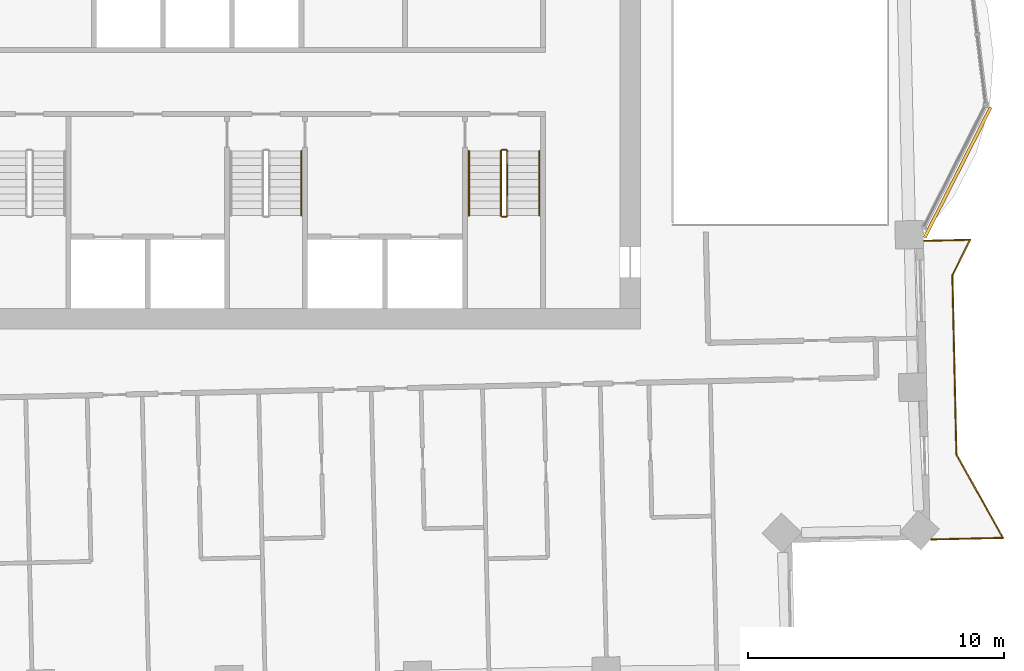
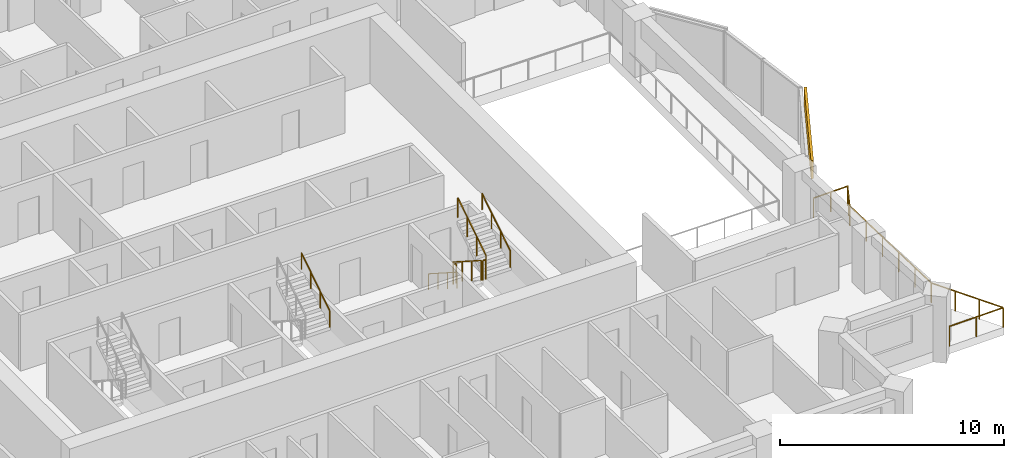
# One storey, part 16 of 17: 8 railings, 1 covering.
"""IFC4 building model written with IfcOpenShell, lengths in metres."""

from ifc_helpers import new_model, si_unit, direction, frame, frame_2d, origin, origin_2d, place, context, subcontext, project, spatial, rectangle, circle, extrude, material, layer, layer_set, type_object, element, save


model = new_model("IFC4")

# Units and contexts
model_context = context("Model", 3, precision=1e-05, world=origin(), true_north=direction((0.0, 1.0)))
body_context = subcontext(model_context, "Body", "Model", "MODEL_VIEW")
ifc_project = project(units=[si_unit("LENGTHUNIT", "METRE"), si_unit("AREAUNIT", "SQUARE_METRE"), si_unit("VOLUMEUNIT", "CUBIC_METRE"), si_unit("PLANEANGLEUNIT", "RADIAN"), si_unit("MASSUNIT", "GRAM", prefix="KILO")], contexts=[model_context])

# Site, building, storey
site_placement = place(None, origin())
site = spatial("IfcSite", under=ifc_project, at=site_placement, CompositionType="ELEMENT")
building_placement = place(site_placement, origin())
building = spatial("IfcBuilding", under=site, at=building_placement, Name="Mangrove Gate Tower", CompositionType="ELEMENT")
storey_placement = place(building_placement, frame((0.0, 0.0, 234.699951171875)))
storey = spatial("IfcBuildingStorey", under=building, at=storey_placement, Name="L59", CompositionType="ELEMENT", Elevation=234.699951171875)

# Railings
ifc_material_1 = material(Name="Stainless steel grade 316 with laminated glass infill", Category="steel")
railing_type_1 = type_object("IfcRailingType", Name="Balcony guard 1100", PredefinedType="GUARDRAIL", material=ifc_material_1)
railing_1_placement = place(storey_placement, frame((25.964111328125, -19.8291015625, 0.0)))
element("IfcRailing", 1, at=railing_1_placement, inside=storey, type_object=railing_type_1, Name="GUARD L59 E1", PredefinedType="GUARDRAIL", context=body_context, shape_type="SweptSolid", body=[
    extrude(rectangle(XDim=0.048095703125, YDim=0.048095703125, at=origin_2d()), frame((0.0, 0.0, 1.076171875), z_axis=(0.999747602217, 0.022466238252, 0.0), x_axis=(-0.022466238252, 0.999747602217, 0.0)), (0.0, 0.0, 1.0), 2.8037109375),
    extrude(rectangle(XDim=0.048095703125, YDim=0.048095703125, at=origin_2d()), frame((2.802978515625, 0.06298828125, 1.076171875), z_axis=(-0.487274546564, 0.873248828382, 0.0), x_axis=(-0.873248828382, -0.487274546564, 0.0)), (0.0, 0.0, 1.0), 3.733154296875),
    extrude(rectangle(XDim=0.048095703125, YDim=0.048095703125, at=origin_2d()), frame((0.98388671875, 3.322998046875, 1.076171875), z_axis=(-0.022566119286, 0.999745352708, 0.0), x_axis=(-0.999745352708, -0.022566119286, 0.0)), (0.0, 0.0, 1.0), 6.999755859375),
    extrude(rectangle(XDim=0.048095703125, YDim=0.048095703125, at=origin_2d()), frame((0.825927734375, 10.321044921875, 1.076171875), z_axis=(0.4469623872, 0.89455275106, 0.0), x_axis=(-0.89455275106, 0.4469623872, 0.0)), (0.0, 0.0, 1.0), 1.55517578125),
    extrude(rectangle(XDim=0.048095703125, YDim=0.048095703125, at=origin_2d()), frame((1.52099609375, 11.712158203125, 1.076171875), z_axis=(-0.999736446094, -0.022957315875, 0.0), x_axis=(0.022957315875, -0.999736446094, 0.0)), (0.0, 0.0, 1.0), 1.78662109375),
    extrude(rectangle(XDim=0.0419921875, YDim=0.0419921875, at=origin_2d()), origin(), (0.0, 0.0, 1.0), 1.052001953125),
    extrude(rectangle(XDim=0.0419921875, YDim=0.0419921875, at=origin_2d()), frame((1.4013671875, 0.031494140625, 0.0)), (0.0, 0.0, 1.0), 1.052001953125),
    extrude(rectangle(XDim=0.0419921875, YDim=0.0419921875, at=origin_2d()), frame((2.802978515625, 0.06298828125, 0.0)), (0.0, 0.0, 1.0), 1.052001953125),
    extrude(rectangle(XDim=0.0419921875, YDim=0.0419921875, at=origin_2d()), frame((2.196533203125, 1.149658203125, 0.0)), (0.0, 0.0, 1.0), 1.052001953125),
    extrude(rectangle(XDim=0.0419921875, YDim=0.0419921875, at=origin_2d()), frame((1.59033203125, 2.236328125, 0.0)), (0.0, 0.0, 1.0), 1.052001953125),
    extrude(rectangle(XDim=0.0419921875, YDim=0.0419921875, at=origin_2d()), frame((0.98388671875, 3.322998046875, 0.0)), (0.0, 0.0, 1.0), 1.052001953125),
    extrude(rectangle(XDim=0.0419921875, YDim=0.0419921875, at=origin_2d()), frame((0.952392578125, 4.72265625, 0.0)), (0.0, 0.0, 1.0), 1.052001953125),
    extrude(rectangle(XDim=0.0419921875, YDim=0.0419921875, at=origin_2d()), frame((0.920654296875, 6.122314453125, 0.0)), (0.0, 0.0, 1.0), 1.052001953125),
    extrude(rectangle(XDim=0.0419921875, YDim=0.0419921875, at=origin_2d()), frame((0.88916015625, 7.521728515625, 0.0)), (0.0, 0.0, 1.0), 1.052001953125),
    extrude(rectangle(XDim=0.0419921875, YDim=0.0419921875, at=origin_2d()), frame((0.857421875, 8.92138671875, 0.0)), (0.0, 0.0, 1.0), 1.052001953125),
    extrude(rectangle(XDim=0.0419921875, YDim=0.0419921875, at=origin_2d()), frame((0.825927734375, 10.321044921875, 0.0)), (0.0, 0.0, 1.0), 1.052001953125),
    extrude(rectangle(XDim=0.0419921875, YDim=0.0419921875, at=origin_2d()), frame((1.17333984375, 11.0166015625, 0.0)), (0.0, 0.0, 1.0), 1.052001953125),
    extrude(rectangle(XDim=0.0419921875, YDim=0.0419921875, at=origin_2d()), frame((1.52099609375, 11.712158203125, 0.0)), (0.0, 0.0, 1.0), 1.052001953125),
    extrude(rectangle(XDim=0.0419921875, YDim=0.0419921875, at=origin_2d()), frame((0.6279296875, 11.691650390625, 0.0)), (0.0, 0.0, 1.0), 1.052001953125),
    extrude(rectangle(XDim=0.0419921875, YDim=0.0419921875, at=origin_2d()), frame((-0.26513671875, 11.671142578125, 0.0)), (0.0, 0.0, 1.0), 1.052001953125),
])
ifc_material_2 = material(Name="Stainless steel 316", Category="steel")
railing_type_2 = type_object("IfcRailingType", Name="Core stair guard 1100", PredefinedType="GUARDRAIL", material=ifc_material_2)
railing_2_placement = place(storey_placement, frame((9.14990234375, -4.64990234375, 0.179931640625)))
element("IfcRailing", 2, at=railing_2_placement, inside=storey, type_object=railing_type_2, Name="L59 ST3 stair guard 1", PredefinedType="GUARDRAIL", context=body_context, shape_type="SweptSolid", body=[
    extrude(rectangle(XDim=0.048095703125, YDim=0.048095703125, at=origin_2d()), frame((0.0, 0.0, 1.076171875), z_axis=(0.0, -0.841162588446, 0.540782303519), x_axis=(1.0, 0.0, 0.0)), (0.0, 0.0, 1.0), 2.995849609375),
    extrude(rectangle(XDim=0.0419921875, YDim=0.0419921875, at=origin_2d()), origin(), (0.0, 0.0, 1.0), 1.052001953125),
    extrude(rectangle(XDim=0.0419921875, YDim=0.0419921875, at=origin_2d()), frame((0.0, -0.840087890625, 0.5400390625)), (0.0, 0.0, 1.0), 1.052001953125),
    extrude(rectangle(XDim=0.0419921875, YDim=0.0419921875, at=origin_2d()), frame((0.0, -1.679931640625, 1.080078125)), (0.0, 0.0, 1.0), 1.052001953125),
    extrude(rectangle(XDim=0.0419921875, YDim=0.0419921875, at=origin_2d()), frame((0.0, -2.52001953125, 1.6201171875)), (0.0, 0.0, 1.0), 1.052001953125),
])
railing_3_placement = place(storey_placement, frame((9.199951171875, -7.219970703125, 1.800048828125)))
element("IfcRailing", 3, at=railing_3_placement, inside=storey, type_object=railing_type_2, Name="L59 ST3 stair guard 2", PredefinedType="GUARDRAIL", context=body_context, shape_type="SweptSolid", body=[
    extrude(rectangle(XDim=0.048095703125, YDim=0.048095703125, at=origin_2d()), frame((0.0, 0.0, 1.076171875), z_axis=(1.0, 0.0, 0.0), x_axis=(0.0, 1.0, 0.0)), (0.0, 0.0, 1.0), 0.150146484375),
    extrude(rectangle(XDim=0.0419921875, YDim=0.0419921875, at=origin_2d()), origin(), (0.0, 0.0, 1.0), 1.052001953125),
    extrude(rectangle(XDim=0.0419921875, YDim=0.0419921875, at=origin_2d()), frame((0.150146484375, 0.0, 0.0)), (0.0, 0.0, 1.0), 1.052001953125),
])
railing_4_placement = place(storey_placement, frame((9.39990234375, -7.169921875, 1.97998046875)))
element("IfcRailing", 4, at=railing_4_placement, inside=storey, type_object=railing_type_2, Name="L59 ST3 stair guard 3", PredefinedType="GUARDRAIL", context=body_context, shape_type="SweptSolid", body=[
    extrude(rectangle(XDim=0.048095703125, YDim=0.048095703125, at=origin_2d()), frame((0.0, 0.0, 1.076171875), z_axis=(0.0, 0.841162588446, 0.540782303519), x_axis=(-1.0, 0.0, 0.0)), (0.0, 0.0, 1.0), 2.995849609375),
    extrude(rectangle(XDim=0.0419921875, YDim=0.0419921875, at=origin_2d()), origin(), (0.0, 0.0, 1.0), 1.052001953125),
    extrude(rectangle(XDim=0.0419921875, YDim=0.0419921875, at=origin_2d()), frame((0.0, 0.840087890625, 0.5400390625)), (0.0, 0.0, 1.0), 1.052001953125),
    extrude(rectangle(XDim=0.0419921875, YDim=0.0419921875, at=origin_2d()), frame((0.0, 1.679931640625, 1.080078125)), (0.0, 0.0, 1.0), 1.052001953125),
    extrude(rectangle(XDim=0.0419921875, YDim=0.0419921875, at=origin_2d()), frame((0.0, 2.52001953125, 1.6201171875)), (0.0, 0.0, 1.0), 1.052001953125),
])
railing_5_placement = place(storey_placement, frame((9.199951171875, -4.60009765625, 0.0)))
element("IfcRailing", 5, at=railing_5_placement, inside=storey, type_object=railing_type_2, Name="L59 ST3 stair guard 4", PredefinedType="GUARDRAIL", context=body_context, shape_type="SweptSolid", body=[
    extrude(rectangle(XDim=0.048095703125, YDim=0.048095703125, at=origin_2d()), frame((0.0, 0.0, 1.076171875), z_axis=(1.0, 0.0, 0.0), x_axis=(0.0, 1.0, 0.0)), (0.0, 0.0, 1.0), 0.150146484375),
    extrude(rectangle(XDim=0.0419921875, YDim=0.0419921875, at=origin_2d()), origin(), (0.0, 0.0, 1.0), 1.052001953125),
    extrude(rectangle(XDim=0.0419921875, YDim=0.0419921875, at=origin_2d()), frame((0.150146484375, 0.0, 0.0)), (0.0, 0.0, 1.0), 1.052001953125),
])
ifc_material_3 = material(Name="Stainless steel 316", Category="steel")
railing_type_3 = type_object("IfcRailingType", Name="Core stair handrail 900", PredefinedType="HANDRAIL", material=ifc_material_3)
railing_6_placement = place(storey_placement, frame((1.35009765625, -7.169921875, 1.97998046875)))
element("IfcRailing", 6, at=railing_6_placement, inside=storey, type_object=railing_type_3, Name="L59 ST2 stair handrail 2", PredefinedType="HANDRAIL", context=body_context, shape_type="SweptSolid", body=[
    extrude(circle(Radius=0.02392578125, at=origin_2d()), frame((0.0, 0.0, 0.8759765625), z_axis=(0.0, 0.841162588446, 0.540782303519), x_axis=(-1.0, 0.0, 0.0)), (0.0, 0.0, 1.0), 2.995849609375),
    extrude(circle(Radius=0.02099609375, at=origin_2d()), origin(), (0.0, 0.0, 1.0), 0.851806640625),
    extrude(circle(Radius=0.02099609375, at=origin_2d()), frame((0.0, 0.840087890625, 0.5400390625)), (0.0, 0.0, 1.0), 0.851806640625),
    extrude(circle(Radius=0.02099609375, at=origin_2d()), frame((0.0, 1.679931640625, 1.080078125)), (0.0, 0.0, 1.0), 0.851806640625),
    extrude(circle(Radius=0.02099609375, at=origin_2d()), frame((0.0, 2.52001953125, 1.6201171875)), (0.0, 0.0, 1.0), 0.851806640625),
])
railing_7_placement = place(storey_placement, frame((7.89990234375, -4.64990234375, 0.179931640625)))
element("IfcRailing", 7, at=railing_7_placement, inside=storey, type_object=railing_type_3, Name="L59 ST3 stair handrail 1", PredefinedType="HANDRAIL", context=body_context, shape_type="SweptSolid", body=[
    extrude(circle(Radius=0.02392578125, at=origin_2d()), frame((0.0, 0.0, 0.8759765625), z_axis=(0.0, -0.841162588446, 0.540782303519), x_axis=(1.0, 0.0, 0.0)), (0.0, 0.0, 1.0), 2.995849609375),
    extrude(circle(Radius=0.02099609375, at=origin_2d()), origin(), (0.0, 0.0, 1.0), 0.851806640625),
    extrude(circle(Radius=0.02099609375, at=origin_2d()), frame((0.0, -0.840087890625, 0.5400390625)), (0.0, 0.0, 1.0), 0.851806640625),
    extrude(circle(Radius=0.02099609375, at=origin_2d()), frame((0.0, -1.679931640625, 1.080078125)), (0.0, 0.0, 1.0), 0.851806640625),
    extrude(circle(Radius=0.02099609375, at=origin_2d()), frame((0.0, -2.52001953125, 1.6201171875)), (0.0, 0.0, 1.0), 0.851806640625),
])
railing_8_placement = place(storey_placement, frame((10.64990234375, -7.169921875, 1.97998046875)))
element("IfcRailing", 8, at=railing_8_placement, inside=storey, type_object=railing_type_3, Name="L59 ST3 stair handrail 2", PredefinedType="HANDRAIL", context=body_context, shape_type="SweptSolid", body=[
    extrude(circle(Radius=0.02392578125, at=origin_2d()), frame((0.0, 0.0, 0.8759765625), z_axis=(0.0, 0.841162588446, 0.540782303519), x_axis=(-1.0, 0.0, 0.0)), (0.0, 0.0, 1.0), 2.995849609375),
    extrude(circle(Radius=0.02099609375, at=origin_2d()), origin(), (0.0, 0.0, 1.0), 0.851806640625),
    extrude(circle(Radius=0.02099609375, at=origin_2d()), frame((0.0, 0.840087890625, 0.5400390625)), (0.0, 0.0, 1.0), 0.851806640625),
    extrude(circle(Radius=0.02099609375, at=origin_2d()), frame((0.0, 1.679931640625, 1.080078125)), (0.0, 0.0, 1.0), 0.851806640625),
    extrude(circle(Radius=0.02099609375, at=origin_2d()), frame((0.0, 2.52001953125, 1.6201171875)), (0.0, 0.0, 1.0), 0.851806640625),
])

# Covering
ifc_material_4 = material(Name="Limestone", Category="masonry")
ifc_layer_1 = layer(ifc_material_4, 0.0400390625, Name="Limestone cladding")
ifc_material_5 = material(Name="Stainless steel anchors and cavity", Category="steel")
ifc_layer_2 = layer(ifc_material_5, 0.080078125, Name="Fixing cavity")
ifc_layer_set = layer_set([ifc_layer_1, ifc_layer_2], Name="Joint fascia cladding 120")
covering_type = type_object("IfcCoveringType", Name="Joint fascia cladding 120", PredefinedType="CLADDING", material=ifc_layer_set)
covering_placement = place(storey_placement, frame((25.706298828125, -8.031005859375, 2.050048828125), z_axis=(0.0, 0.0, 1.0), x_axis=(0.452649950178, 0.891688299017, 0.0)))
element("IfcCovering", 9, at=covering_placement, inside=storey, type_object=covering_type, Name="STONE FASCIA L59 E1.L1", PredefinedType="CLADDING", context=body_context, shape_type="SweptSolid", body=[
    extrude(rectangle(XDim=5.70361328125, YDim=0.1201171875, at=frame_2d((2.851806640625, 0.0))), origin(), (0.0, 0.0, 1.0), 1.0),
])

save(model, "model.ifc")
